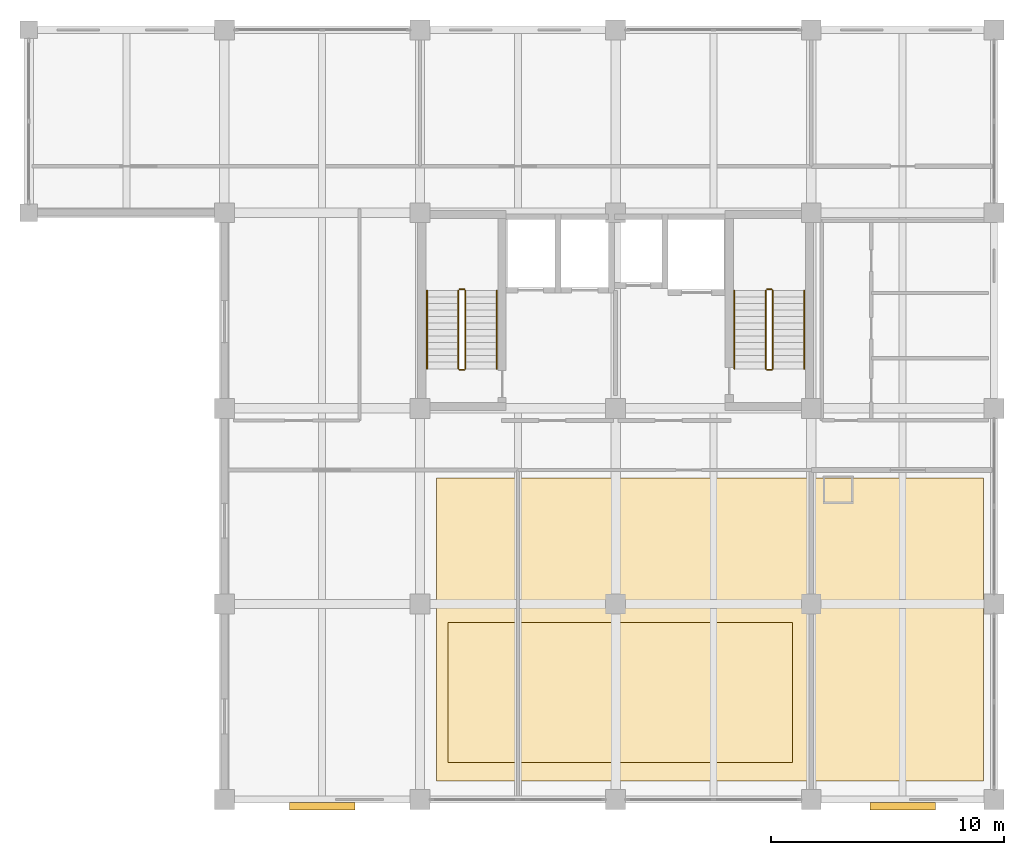
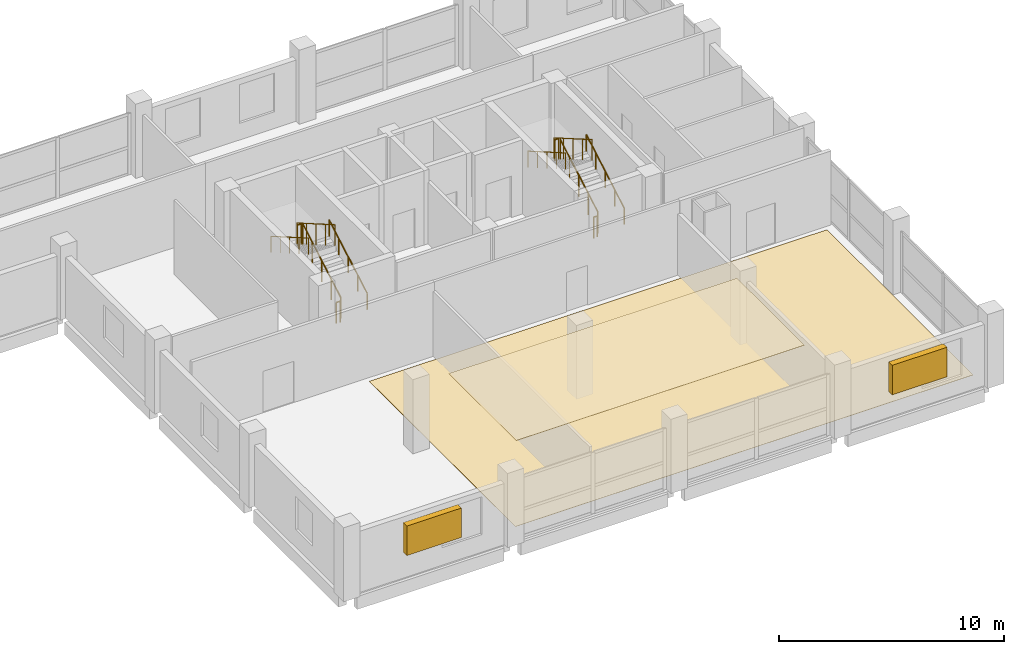
# One storey, part 9 of 9: 12 railings, 2 coverings, 2 shading devices.
"""IFC4 building model written with IfcOpenShell, lengths in metres."""

from ifc_helpers import new_model, si_unit, direction, frame, origin, origin_2d, place, context, subcontext, project, spatial, polyline, rectangle, circle, outline, extrude, material, layer, layer_set, type_object, element, save


model = new_model("IFC4")

# Units and contexts
model_context = context("Model", 3, precision=1e-05, world=origin(), true_north=direction((0.0, 1.0)))
body_context = subcontext(model_context, "Body", "Model", "MODEL_VIEW")
ifc_project = project(units=[si_unit("LENGTHUNIT", "METRE"), si_unit("AREAUNIT", "SQUARE_METRE"), si_unit("VOLUMEUNIT", "CUBIC_METRE"), si_unit("PLANEANGLEUNIT", "RADIAN"), si_unit("MASSUNIT", "GRAM", prefix="KILO")], contexts=[model_context])

# Site, building, storey
site_placement = place(None, origin())
site = spatial("IfcSite", under=ifc_project, at=site_placement, CompositionType="ELEMENT")
building_placement = place(site_placement, origin())
building = spatial("IfcBuilding", under=site, at=building_placement, Name="Brinegate Botanical Conservatory", CompositionType="ELEMENT")
storey_placement = place(building_placement, frame((0.0, 0.0, 31.800048828125)))
storey = spatial("IfcBuildingStorey", under=building, at=storey_placement, Name="L08", CompositionType="ELEMENT", Elevation=31.800048828125)

# Coverings
ifc_material_1 = material(Name="Moisture-resistant acoustic mineral-fibre ceiling board", Category="gypsum")
ifc_layer_1 = layer(ifc_material_1, 0.02001953125, Name="Moisture-resistant acoustic mineral-fibre ceiling board", Category="gypsum")
ifc_layer_set_1 = layer_set([ifc_layer_1], Name="Moisture-resistant acoustic mineral-fibre ceiling board")
covering_type_1 = type_object("IfcCoveringType", Name="Cov_CLG-LAB", PredefinedType="CEILING", material=ifc_layer_set_1)
covering_1_placement = place(storey_placement, frame((0.0, 0.0, 4.0)))
element("IfcCovering", 1, at=covering_1_placement, inside=storey, type_object=covering_type_1, Name="Laboratory acoustic mineral-fibre ceiling L08", PredefinedType="CEILING", context=body_context, shape_type="SweptSolid", body=[
    extrude(outline(polyline([(140.0, 80.0), (154.800048828125, 80.0), (154.800048828125, 86.0), (140.0, 86.0), (140.0, 80.0)])), origin(), (0.0, 0.0, 1.0), 0.02001953125),
])
ifc_material_2 = material(Name="Seamless chemical-resistant terrazzo and epoxy flooring", Category="concrete")
ifc_layer_2 = layer(ifc_material_2, 0.014892578125, Name="Seamless chemical-resistant terrazzo and epoxy flooring", Category="concrete")
ifc_layer_set_2 = layer_set([ifc_layer_2], Name="Seamless chemical-resistant terrazzo and epoxy flooring")
covering_type_2 = type_object("IfcCoveringType", Name="Cov_FLR-LAB", PredefinedType="FLOORING", material=ifc_layer_set_2)
covering_2_placement = place(storey_placement, origin())
element("IfcCovering", 2, at=covering_2_placement, inside=storey, type_object=covering_type_2, Name="Laboratory seamless terrazzo floor finish L08", PredefinedType="FLOORING", context=body_context, shape_type="SweptSolid", body=[
    extrude(outline(polyline([(139.5, 79.199951171875), (163.0, 79.199951171875), (163.0, 92.199951171875), (139.5, 92.199951171875), (139.5, 79.199951171875)])), origin(), (0.0, 0.0, 1.0), 0.014892578125),
])

# Railings
ifc_material_3 = material(Name="Structural steel Q355B / S355 painted tubular guardrail", Category="steel")
railing_type_1 = type_object("IfcRailingType", Name="Rail_ST-GRD", PredefinedType="GUARDRAIL", material=ifc_material_3)
railing_1_placement = place(storey_placement, frame((140.75, 96.89990234375, 0.161376953125)))
element("IfcRailing", 3, at=railing_1_placement, inside=storey, type_object=railing_type_1, Name="L08 ST1 stair guard 1", PredefinedType="GUARDRAIL", context=body_context, shape_type="SweptSolid", body=[
    extrude(circle(Radius=0.02392578125, at=origin_2d()), frame((0.0, 0.0, 1.1259765625), z_axis=(0.0, 0.866190824863, 0.499713372768), x_axis=(-1.0, 0.0, 0.0)), (0.0, 0.0, 1.0), 3.879150390625),
    extrude(circle(Radius=0.02099609375, at=origin_2d()), origin(), (0.0, 0.0, 1.0), 1.101806640625),
    extrude(circle(Radius=0.02099609375, at=origin_2d()), frame((0.0, 0.840087890625, 0.484619140625)), (0.0, 0.0, 1.0), 1.101806640625),
    extrude(circle(Radius=0.02099609375, at=origin_2d()), frame((0.0, 1.68017578125, 0.96923828125)), (0.0, 0.0, 1.0), 1.101806640625),
    extrude(circle(Radius=0.02099609375, at=origin_2d()), frame((0.0, 2.52001953125, 1.453857421875)), (0.0, 0.0, 1.0), 1.101806640625),
    extrude(circle(Radius=0.02099609375, at=origin_2d()), frame((0.0, 3.360107421875, 1.9384765625)), (0.0, 0.0, 1.0), 1.101806640625),
])
railing_2_placement = place(storey_placement, frame((140.699951171875, 100.31005859375, 2.099853515625)))
element("IfcRailing", 4, at=railing_2_placement, inside=storey, type_object=railing_type_1, Name="L08 ST1 stair guard 2", PredefinedType="GUARDRAIL", context=body_context, shape_type="SweptSolid", body=[
    extrude(circle(Radius=0.02392578125, at=origin_2d()), frame((0.0, 0.0, 1.1259765625), z_axis=(-1.0, 0.0, 0.0), x_axis=(0.0, -1.0, 0.0)), (0.0, 0.0, 1.0), 0.199951171875),
    extrude(circle(Radius=0.02099609375, at=origin_2d()), origin(), (0.0, 0.0, 1.0), 1.101806640625),
    extrude(circle(Radius=0.02099609375, at=origin_2d()), frame((-0.199951171875, 0.0, 0.0)), (0.0, 0.0, 1.0), 1.101806640625),
])
railing_3_placement = place(storey_placement, frame((140.449951171875, 100.260009765625, 2.261474609375)))
element("IfcRailing", 5, at=railing_3_placement, inside=storey, type_object=railing_type_1, Name="L08 ST1 stair guard 3", PredefinedType="GUARDRAIL", context=body_context, shape_type="SweptSolid", body=[
    extrude(circle(Radius=0.02392578125, at=origin_2d()), frame((0.0, 0.0, 1.1259765625), z_axis=(0.0, -0.866190824863, 0.499713372768), x_axis=(1.0, 0.0, 0.0)), (0.0, 0.0, 1.0), 3.879150390625),
    extrude(circle(Radius=0.02099609375, at=origin_2d()), origin(), (0.0, 0.0, 1.0), 1.101806640625),
    extrude(circle(Radius=0.02099609375, at=origin_2d()), frame((0.0, -0.840087890625, 0.484619140625)), (0.0, 0.0, 1.0), 1.101806640625),
    extrude(circle(Radius=0.02099609375, at=origin_2d()), frame((0.0, -1.68017578125, 0.96923828125)), (0.0, 0.0, 1.0), 1.101806640625),
    extrude(circle(Radius=0.02099609375, at=origin_2d()), frame((0.0, -2.52001953125, 1.453857421875)), (0.0, 0.0, 1.0), 1.101806640625),
    extrude(circle(Radius=0.02099609375, at=origin_2d()), frame((0.0, -3.360107421875, 1.9384765625)), (0.0, 0.0, 1.0), 1.101806640625),
])
railing_4_placement = place(storey_placement, frame((140.699951171875, 96.85009765625, 0.0)))
element("IfcRailing", 6, at=railing_4_placement, inside=storey, type_object=railing_type_1, Name="L08 ST1 stair guard 4", PredefinedType="GUARDRAIL", context=body_context, shape_type="SweptSolid", body=[
    extrude(circle(Radius=0.02392578125, at=origin_2d()), frame((0.0, 0.0, 1.1259765625), z_axis=(-1.0, 0.0, 0.0), x_axis=(0.0, -1.0, 0.0)), (0.0, 0.0, 1.0), 0.199951171875),
    extrude(circle(Radius=0.02099609375, at=origin_2d()), origin(), (0.0, 0.0, 1.0), 1.101806640625),
    extrude(circle(Radius=0.02099609375, at=origin_2d()), frame((-0.199951171875, 0.0, 0.0)), (0.0, 0.0, 1.0), 1.101806640625),
])
railing_5_placement = place(storey_placement, frame((153.949951171875, 96.89990234375, 0.161376953125)))
element("IfcRailing", 7, at=railing_5_placement, inside=storey, type_object=railing_type_1, Name="L08 ST2 stair guard 1", PredefinedType="GUARDRAIL", context=body_context, shape_type="SweptSolid", body=[
    extrude(circle(Radius=0.02392578125, at=origin_2d()), frame((0.0, 0.0, 1.1259765625), z_axis=(0.0, 0.866190824863, 0.499713372768), x_axis=(-1.0, 0.0, 0.0)), (0.0, 0.0, 1.0), 3.879150390625),
    extrude(circle(Radius=0.02099609375, at=origin_2d()), origin(), (0.0, 0.0, 1.0), 1.101806640625),
    extrude(circle(Radius=0.02099609375, at=origin_2d()), frame((0.0, 0.840087890625, 0.484619140625)), (0.0, 0.0, 1.0), 1.101806640625),
    extrude(circle(Radius=0.02099609375, at=origin_2d()), frame((0.0, 1.68017578125, 0.96923828125)), (0.0, 0.0, 1.0), 1.101806640625),
    extrude(circle(Radius=0.02099609375, at=origin_2d()), frame((0.0, 2.52001953125, 1.453857421875)), (0.0, 0.0, 1.0), 1.101806640625),
    extrude(circle(Radius=0.02099609375, at=origin_2d()), frame((0.0, 3.360107421875, 1.9384765625)), (0.0, 0.0, 1.0), 1.101806640625),
])
railing_6_placement = place(storey_placement, frame((153.89990234375, 100.31005859375, 2.099853515625)))
element("IfcRailing", 8, at=railing_6_placement, inside=storey, type_object=railing_type_1, Name="L08 ST2 stair guard 2", PredefinedType="GUARDRAIL", context=body_context, shape_type="SweptSolid", body=[
    extrude(circle(Radius=0.02392578125, at=origin_2d()), frame((0.0, 0.0, 1.1259765625), z_axis=(-1.0, 0.0, 0.0), x_axis=(0.0, -1.0, 0.0)), (0.0, 0.0, 1.0), 0.199951171875),
    extrude(circle(Radius=0.02099609375, at=origin_2d()), origin(), (0.0, 0.0, 1.0), 1.101806640625),
    extrude(circle(Radius=0.02099609375, at=origin_2d()), frame((-0.199951171875, 0.0, 0.0)), (0.0, 0.0, 1.0), 1.101806640625),
])
railing_7_placement = place(storey_placement, frame((153.64990234375, 100.260009765625, 2.261474609375)))
element("IfcRailing", 9, at=railing_7_placement, inside=storey, type_object=railing_type_1, Name="L08 ST2 stair guard 3", PredefinedType="GUARDRAIL", context=body_context, shape_type="SweptSolid", body=[
    extrude(circle(Radius=0.02392578125, at=origin_2d()), frame((0.0, 0.0, 1.1259765625), z_axis=(0.0, -0.866190824863, 0.499713372768), x_axis=(1.0, 0.0, 0.0)), (0.0, 0.0, 1.0), 3.879150390625),
    extrude(circle(Radius=0.02099609375, at=origin_2d()), origin(), (0.0, 0.0, 1.0), 1.101806640625),
    extrude(circle(Radius=0.02099609375, at=origin_2d()), frame((0.0, -0.840087890625, 0.484619140625)), (0.0, 0.0, 1.0), 1.101806640625),
    extrude(circle(Radius=0.02099609375, at=origin_2d()), frame((0.0, -1.68017578125, 0.96923828125)), (0.0, 0.0, 1.0), 1.101806640625),
    extrude(circle(Radius=0.02099609375, at=origin_2d()), frame((0.0, -2.52001953125, 1.453857421875)), (0.0, 0.0, 1.0), 1.101806640625),
    extrude(circle(Radius=0.02099609375, at=origin_2d()), frame((0.0, -3.360107421875, 1.9384765625)), (0.0, 0.0, 1.0), 1.101806640625),
])
railing_8_placement = place(storey_placement, frame((153.89990234375, 96.85009765625, 0.0)))
element("IfcRailing", 10, at=railing_8_placement, inside=storey, type_object=railing_type_1, Name="L08 ST2 stair guard 4", PredefinedType="GUARDRAIL", context=body_context, shape_type="SweptSolid", body=[
    extrude(circle(Radius=0.02392578125, at=origin_2d()), frame((0.0, 0.0, 1.1259765625), z_axis=(-1.0, 0.0, 0.0), x_axis=(0.0, -1.0, 0.0)), (0.0, 0.0, 1.0), 0.199951171875),
    extrude(circle(Radius=0.02099609375, at=origin_2d()), origin(), (0.0, 0.0, 1.0), 1.101806640625),
    extrude(circle(Radius=0.02099609375, at=origin_2d()), frame((-0.199951171875, 0.0, 0.0)), (0.0, 0.0, 1.0), 1.101806640625),
])
ifc_material_4 = material(Name="Brushed stainless steel S355 handrail", Category="steel")
railing_type_2 = type_object("IfcRailingType", Name="Rail_ST-HND", PredefinedType="HANDRAIL", material=ifc_material_4)
railing_9_placement = place(storey_placement, frame((142.10009765625, 96.89990234375, 0.161376953125)))
element("IfcRailing", 11, at=railing_9_placement, inside=storey, type_object=railing_type_2, Name="L08 ST1 stair handrail 1", PredefinedType="HANDRAIL", context=body_context, shape_type="SweptSolid", body=[
    extrude(circle(Radius=0.02392578125, at=origin_2d()), frame((0.0, 0.0, 0.8759765625), z_axis=(0.0, 0.866190824863, 0.499713372768), x_axis=(-1.0, 0.0, 0.0)), (0.0, 0.0, 1.0), 3.879150390625),
    extrude(circle(Radius=0.02099609375, at=origin_2d()), origin(), (0.0, 0.0, 1.0), 0.851806640625),
    extrude(circle(Radius=0.02099609375, at=origin_2d()), frame((0.0, 0.840087890625, 0.484619140625)), (0.0, 0.0, 1.0), 0.851806640625),
    extrude(circle(Radius=0.02099609375, at=origin_2d()), frame((0.0, 1.68017578125, 0.96923828125)), (0.0, 0.0, 1.0), 0.851806640625),
    extrude(circle(Radius=0.02099609375, at=origin_2d()), frame((0.0, 2.52001953125, 1.453857421875)), (0.0, 0.0, 1.0), 0.851806640625),
    extrude(circle(Radius=0.02099609375, at=origin_2d()), frame((0.0, 3.360107421875, 1.9384765625)), (0.0, 0.0, 1.0), 0.851806640625),
])
railing_10_placement = place(storey_placement, frame((139.10009765625, 100.260009765625, 2.261474609375)))
element("IfcRailing", 12, at=railing_10_placement, inside=storey, type_object=railing_type_2, Name="L08 ST1 stair handrail 2", PredefinedType="HANDRAIL", context=body_context, shape_type="SweptSolid", body=[
    extrude(circle(Radius=0.02392578125, at=origin_2d()), frame((0.0, 0.0, 0.8759765625), z_axis=(0.0, -0.866190824863, 0.499713372768), x_axis=(1.0, 0.0, 0.0)), (0.0, 0.0, 1.0), 3.879150390625),
    extrude(circle(Radius=0.02099609375, at=origin_2d()), origin(), (0.0, 0.0, 1.0), 0.851806640625),
    extrude(circle(Radius=0.02099609375, at=origin_2d()), frame((0.0, -0.840087890625, 0.484619140625)), (0.0, 0.0, 1.0), 0.851806640625),
    extrude(circle(Radius=0.02099609375, at=origin_2d()), frame((0.0, -1.68017578125, 0.96923828125)), (0.0, 0.0, 1.0), 0.851806640625),
    extrude(circle(Radius=0.02099609375, at=origin_2d()), frame((0.0, -2.52001953125, 1.453857421875)), (0.0, 0.0, 1.0), 0.851806640625),
    extrude(circle(Radius=0.02099609375, at=origin_2d()), frame((0.0, -3.360107421875, 1.9384765625)), (0.0, 0.0, 1.0), 0.851806640625),
])
railing_11_placement = place(storey_placement, frame((155.300048828125, 96.89990234375, 0.161376953125)))
element("IfcRailing", 13, at=railing_11_placement, inside=storey, type_object=railing_type_2, Name="L08 ST2 stair handrail 1", PredefinedType="HANDRAIL", context=body_context, shape_type="SweptSolid", body=[
    extrude(circle(Radius=0.02392578125, at=origin_2d()), frame((0.0, 0.0, 0.8759765625), z_axis=(0.0, 0.866190824863, 0.499713372768), x_axis=(-1.0, 0.0, 0.0)), (0.0, 0.0, 1.0), 3.879150390625),
    extrude(circle(Radius=0.02099609375, at=origin_2d()), origin(), (0.0, 0.0, 1.0), 0.851806640625),
    extrude(circle(Radius=0.02099609375, at=origin_2d()), frame((0.0, 0.840087890625, 0.484619140625)), (0.0, 0.0, 1.0), 0.851806640625),
    extrude(circle(Radius=0.02099609375, at=origin_2d()), frame((0.0, 1.68017578125, 0.96923828125)), (0.0, 0.0, 1.0), 0.851806640625),
    extrude(circle(Radius=0.02099609375, at=origin_2d()), frame((0.0, 2.52001953125, 1.453857421875)), (0.0, 0.0, 1.0), 0.851806640625),
    extrude(circle(Radius=0.02099609375, at=origin_2d()), frame((0.0, 3.360107421875, 1.9384765625)), (0.0, 0.0, 1.0), 0.851806640625),
])
railing_12_placement = place(storey_placement, frame((152.300048828125, 100.260009765625, 2.261474609375)))
element("IfcRailing", 14, at=railing_12_placement, inside=storey, type_object=railing_type_2, Name="L08 ST2 stair handrail 2", PredefinedType="HANDRAIL", context=body_context, shape_type="SweptSolid", body=[
    extrude(circle(Radius=0.02392578125, at=origin_2d()), frame((0.0, 0.0, 0.8759765625), z_axis=(0.0, -0.866190824863, 0.499713372768), x_axis=(1.0, 0.0, 0.0)), (0.0, 0.0, 1.0), 3.879150390625),
    extrude(circle(Radius=0.02099609375, at=origin_2d()), origin(), (0.0, 0.0, 1.0), 0.851806640625),
    extrude(circle(Radius=0.02099609375, at=origin_2d()), frame((0.0, -0.840087890625, 0.484619140625)), (0.0, 0.0, 1.0), 0.851806640625),
    extrude(circle(Radius=0.02099609375, at=origin_2d()), frame((0.0, -1.68017578125, 0.96923828125)), (0.0, 0.0, 1.0), 0.851806640625),
    extrude(circle(Radius=0.02099609375, at=origin_2d()), frame((0.0, -2.52001953125, 1.453857421875)), (0.0, 0.0, 1.0), 0.851806640625),
    extrude(circle(Radius=0.02099609375, at=origin_2d()), frame((0.0, -3.360107421875, 1.9384765625)), (0.0, 0.0, 1.0), 0.851806640625),
])

# Shading devices
ifc_material_5 = material(Name="Anodised aluminium AW-6063-T6 solar-storm fin bank", Category="aluminium")
shading_device_type = type_object("IfcShadingDeviceType", Name="Shade_SLV-02", PredefinedType="JALOUSIE", material=ifc_material_5)
for number, where, z_axis, x_axis, name in (
    (15, (134.60009765625, 78.110107421875, 1.39990234375), (0.0, 0.0, 1.0), (1.0, 0.0, 0.0), "Research lab south storm louvre L08.1"),
    (16, (159.52490234375, 78.110107421875, 1.39990234375), (0.0, 0.0, 1.0), (1.0, 0.0, 0.0), "Research lab south storm louvre L08.4"),
):
    element("IfcShadingDevice", number, at=place(storey_placement, frame(where, z_axis=z_axis, x_axis=x_axis)), inside=storey, type_object=shading_device_type, Name=name, PredefinedType="JALOUSIE", context=body_context, shape_type="SweptSolid", body=[
        extrude(rectangle(XDim=2.800048828125, YDim=0.320068359375, at=origin_2d()), origin(), (0.0, 0.0, 1.0), 1.60009765625),
    ])

save(model, "model.ifc")
